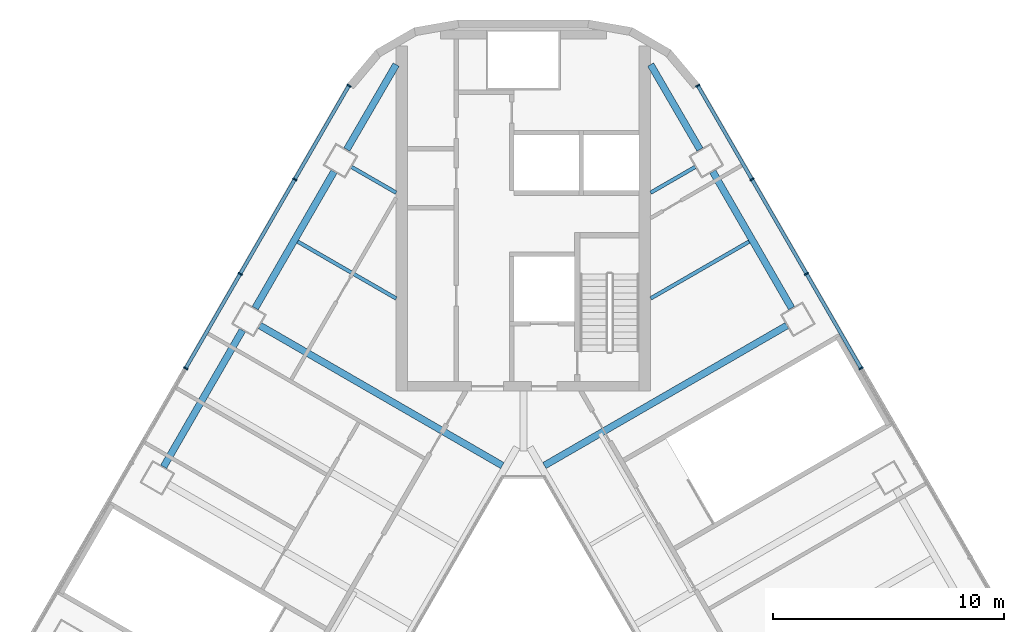
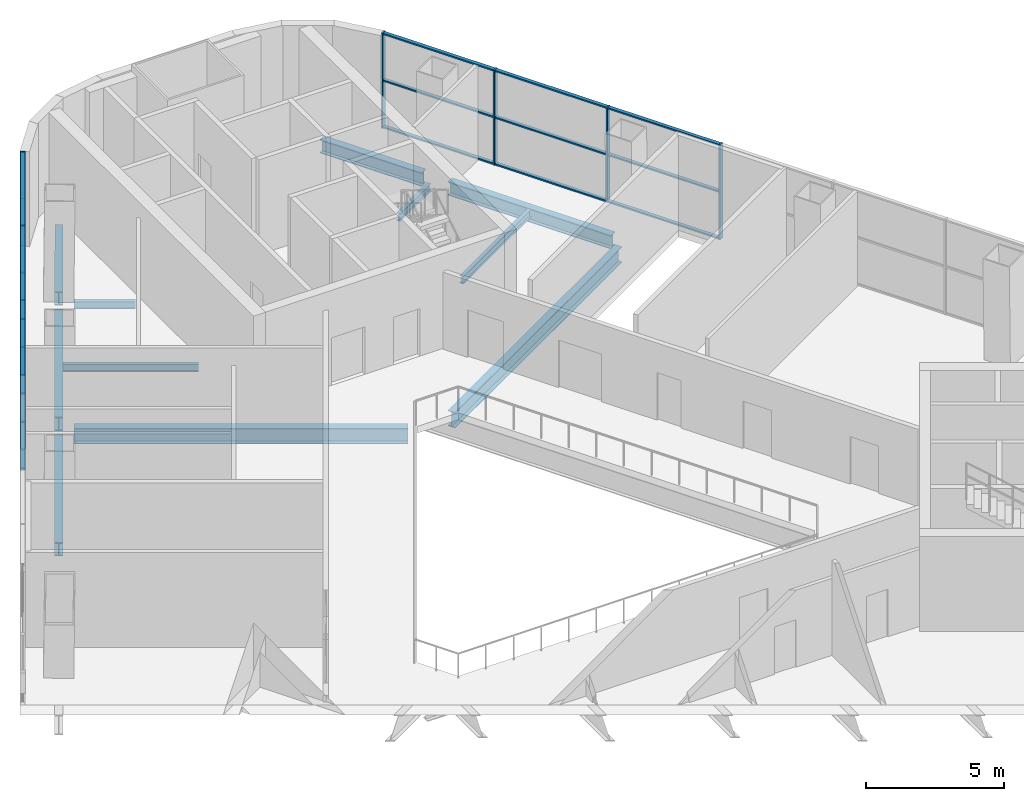
# One storey, part 5 of 12: 26 members, 11 beams, 2 elements without a shape of their own.
"""IFC4 building model written with IfcOpenShell, lengths in metres."""

from ifc_helpers import new_model, si_unit, direction, frame, origin, origin_2d, place, context, subcontext, project, spatial, rectangle, i_section, extrude, material, layer, layer_set, material_profile, profile_set, type_object, element, aggregate, save


model = new_model("IFC4")

# Units and contexts
model_context = context("Model", 3, precision=1e-05, world=origin(), true_north=direction((0.0, 1.0)))
body_context = subcontext(model_context, "Body", "Model", "MODEL_VIEW")
ifc_project = project(units=[si_unit("LENGTHUNIT", "METRE"), si_unit("AREAUNIT", "SQUARE_METRE"), si_unit("VOLUMEUNIT", "CUBIC_METRE"), si_unit("PLANEANGLEUNIT", "RADIAN"), si_unit("MASSUNIT", "GRAM", prefix="KILO")], contexts=[model_context])

# Site, building, storey
site_placement = place(None, origin())
site = spatial("IfcSite", under=ifc_project, at=site_placement, CompositionType="ELEMENT")
building_placement = place(site_placement, origin())
building = spatial("IfcBuilding", under=site, at=building_placement, Name="Apuvela Tower Hotel", CompositionType="ELEMENT")
storey_placement = place(building_placement, frame((0.0, 0.0, 33.0)))
storey = spatial("IfcBuildingStorey", under=building, at=storey_placement, Name="L05", CompositionType="ELEMENT", Elevation=33.0)

# Curtain wall, members
ifc_material_1 = material(Name="Aluminium 6063-T6, dark bronze anodised", Category="aluminium")
ifc_layer = layer(ifc_material_1, 0.199951171875)
ifc_layer_set = layer_set([ifc_layer], Name="ENV-CW-P")
curtain_wall_type = type_object("IfcCurtainWallType", Name="ENV-CW-P", PredefinedType="NOTDEFINED", material=ifc_layer_set)
curtain_wall_1_placement = place(storey_placement, origin())
curtain_wall_1 = element("IfcCurtainWall", 1, at=curtain_wall_1_placement, inside=storey, type_object=curtain_wall_type, Name="Curtain wall CW-P NE L05", PredefinedType="NOTDEFINED")
ifc_material_profile_1 = material_profile(ifc_material_1, rectangle(XDim=0.199951171875, YDim=0.06494140625, at=origin_2d()), Name="AL 65x200")
ifc_profile_set_1 = profile_set([ifc_material_profile_1], Name="Aluminium 6063-T6, dark bronze anodised")
member_type_1 = type_object("IfcMemberType", Name="ENV-MULLION-65x200", PredefinedType="MULLION", material=ifc_profile_set_1)
member_1_placement = place(storey_placement, frame((14.595947265625, 13.871337890625, 0.0), z_axis=(0.0, 0.0, 1.0), x_axis=(-0.866025548062, -0.499999750104, 0.0)))
member_1 = element("IfcMember", 2, at=member_1_placement, type_object=member_type_1, Name="CW-P mullion 6", PredefinedType="MULLION", context=body_context, shape_type="SweptSolid", body=[
    extrude(rectangle(XDim=0.199951171875, YDim=0.06494140625, at=origin_2d()), origin(), (0.0, 0.0, 1.0), 4.199951171875),
])
member_2_placement = place(storey_placement, frame((12.23828125, 17.95458984375, 0.0), z_axis=(0.0, 0.0, 1.0), x_axis=(-0.866025548062, -0.499999750104, 0.0)))
member_2 = element("IfcMember", 3, at=member_2_placement, type_object=member_type_1, Name="CW-P mullion 7", PredefinedType="MULLION", context=body_context, shape_type="SweptSolid", body=[
    extrude(rectangle(XDim=0.199951171875, YDim=0.06494140625, at=origin_2d()), origin(), (0.0, 0.0, 1.0), 4.199951171875),
])
member_3_placement = place(storey_placement, frame((9.880859375, 22.0380859375, 0.0), z_axis=(0.0, 0.0, 1.0), x_axis=(-0.866025548062, -0.499999750104, 0.0)))
member_3 = element("IfcMember", 4, at=member_3_placement, type_object=member_type_1, Name="CW-P mullion 8", PredefinedType="MULLION", context=body_context, shape_type="SweptSolid", body=[
    extrude(rectangle(XDim=0.199951171875, YDim=0.06494140625, at=origin_2d()), origin(), (0.0, 0.0, 1.0), 4.199951171875),
])
member_4_placement = place(storey_placement, frame((7.53955078125, 26.09326171875, 0.0), z_axis=(0.0, 0.0, 1.0), x_axis=(-0.866025548062, -0.499999750104, 0.0)))
member_4 = element("IfcMember", 5, at=member_4_placement, type_object=member_type_1, Name="CW-P mullion 9", PredefinedType="MULLION", context=body_context, shape_type="SweptSolid", body=[
    extrude(rectangle(XDim=0.199951171875, YDim=0.06494140625, at=origin_2d()), origin(), (0.0, 0.0, 1.0), 4.199951171875),
])

curtain_wall_2_placement = place(storey_placement, origin())
curtain_wall_2 = element("IfcCurtainWall", 6, at=curtain_wall_2_placement, inside=storey, type_object=curtain_wall_type, Name="Curtain wall CW-P NW L05", PredefinedType="NOTDEFINED")
member_5_placement = place(storey_placement, frame((-7.53955078125, 26.09326171875, 0.0), z_axis=(0.0, 0.0, 1.0), x_axis=(0.866025548062, -0.499999750104, 0.0)))
member_5 = element("IfcMember", 7, at=member_5_placement, type_object=member_type_1, Name="CW-P mullion 1", PredefinedType="MULLION", context=body_context, shape_type="SweptSolid", body=[
    extrude(rectangle(XDim=0.199951171875, YDim=0.06494140625, at=origin_2d()), origin(), (0.0, 0.0, 1.0), 4.199951171875),
])
member_6_placement = place(storey_placement, frame((-9.880859375, 22.0380859375, 0.0), z_axis=(0.0, 0.0, 1.0), x_axis=(0.866025548062, -0.499999750104, 0.0)))
member_6 = element("IfcMember", 8, at=member_6_placement, type_object=member_type_1, Name="CW-P mullion 2", PredefinedType="MULLION", context=body_context, shape_type="SweptSolid", body=[
    extrude(rectangle(XDim=0.199951171875, YDim=0.06494140625, at=origin_2d()), origin(), (0.0, 0.0, 1.0), 4.199951171875),
])
member_7_placement = place(storey_placement, frame((-12.23828125, 17.95458984375, 0.0), z_axis=(0.0, 0.0, 1.0), x_axis=(0.866025548062, -0.499999750104, 0.0)))
member_7 = element("IfcMember", 9, at=member_7_placement, type_object=member_type_1, Name="CW-P mullion 3", PredefinedType="MULLION", context=body_context, shape_type="SweptSolid", body=[
    extrude(rectangle(XDim=0.199951171875, YDim=0.06494140625, at=origin_2d()), origin(), (0.0, 0.0, 1.0), 4.199951171875),
])
member_8_placement = place(storey_placement, frame((-14.595947265625, 13.871337890625, 0.0), z_axis=(0.0, 0.0, 1.0), x_axis=(0.866025548062, -0.499999750104, 0.0)))
member_8 = element("IfcMember", 10, at=member_8_placement, type_object=member_type_1, Name="CW-P mullion 4", PredefinedType="MULLION", context=body_context, shape_type="SweptSolid", body=[
    extrude(rectangle(XDim=0.199951171875, YDim=0.06494140625, at=origin_2d()), origin(), (0.0, 0.0, 1.0), 4.199951171875),
])

# Member
ifc_material_profile_2 = material_profile(ifc_material_1, rectangle(XDim=0.14990234375, YDim=0.06494140625, at=origin_2d()), Name="AL 65x150 transom")
ifc_profile_set_2 = profile_set([ifc_material_profile_2], Name="Aluminium 6063-T6, dark bronze anodised")
member_type_2 = type_object("IfcMemberType", Name="ENV-TRANSOM-65x150", PredefinedType="USERDEFINED", material=ifc_profile_set_2)
member_9_placement = place(storey_placement, frame((14.57958984375, 13.8994140625, 0.032470703125), z_axis=(-0.499984536904, 0.866034331223, 0.0), x_axis=(-0.866034331223, -0.499984536904, 0.0)))
member_9 = element("IfcMember", 11, at=member_9_placement, type_object=member_type_2, Name="CW-P transom 6.1", ObjectType="TRANSOM", PredefinedType="USERDEFINED", context=body_context, shape_type="SweptSolid", body=[
    extrude(rectangle(XDim=0.14990234375, YDim=0.06494140625, at=origin_2d()), origin(), (0.0, 0.0, 1.0), 4.650146484375),
])

member_10_placement = place(storey_placement, frame((14.57958984375, 13.8994140625, 2.10009765625), z_axis=(-0.499984536904, 0.866034331223, 0.0), x_axis=(-0.866034331223, -0.499984536904, 0.0)))
member_10 = element("IfcMember", 12, at=member_10_placement, type_object=member_type_2, Name="CW-P transom 6.2", ObjectType="TRANSOM", PredefinedType="USERDEFINED", context=body_context, shape_type="SweptSolid", body=[
    extrude(rectangle(XDim=0.14990234375, YDim=0.06494140625, at=origin_2d()), origin(), (0.0, 0.0, 1.0), 4.650146484375),
])

member_11_placement = place(storey_placement, frame((14.57958984375, 13.8994140625, 4.16748046875), z_axis=(-0.499984536904, 0.866034331223, 0.0), x_axis=(-0.866034331223, -0.499984536904, 0.0)))
member_11 = element("IfcMember", 13, at=member_11_placement, type_object=member_type_2, Name="CW-P transom 6.3", ObjectType="TRANSOM", PredefinedType="USERDEFINED", context=body_context, shape_type="SweptSolid", body=[
    extrude(rectangle(XDim=0.14990234375, YDim=0.06494140625, at=origin_2d()), origin(), (0.0, 0.0, 1.0), 4.650146484375),
])

member_12_placement = place(storey_placement, frame((12.22216796875, 17.98291015625, 0.032470703125), z_axis=(-0.500007271693, 0.86602120543, 0.0), x_axis=(-0.86602120543, -0.500007271693, 0.0)))
member_12 = element("IfcMember", 14, at=member_12_placement, type_object=member_type_2, Name="CW-P transom 7.1", ObjectType="TRANSOM", PredefinedType="USERDEFINED", context=body_context, shape_type="SweptSolid", body=[
    extrude(rectangle(XDim=0.14990234375, YDim=0.06494140625, at=origin_2d()), origin(), (0.0, 0.0, 1.0), 4.64990234375),
])

member_13_placement = place(storey_placement, frame((12.22216796875, 17.98291015625, 2.10009765625), z_axis=(-0.500007271693, 0.86602120543, 0.0), x_axis=(-0.86602120543, -0.500007271693, 0.0)))
member_13 = element("IfcMember", 15, at=member_13_placement, type_object=member_type_2, Name="CW-P transom 7.2", ObjectType="TRANSOM", PredefinedType="USERDEFINED", context=body_context, shape_type="SweptSolid", body=[
    extrude(rectangle(XDim=0.14990234375, YDim=0.06494140625, at=origin_2d()), origin(), (0.0, 0.0, 1.0), 4.64990234375),
])

member_14_placement = place(storey_placement, frame((12.22216796875, 17.98291015625, 4.16748046875), z_axis=(-0.500007271693, 0.86602120543, 0.0), x_axis=(-0.86602120543, -0.500007271693, 0.0)))
member_14 = element("IfcMember", 16, at=member_14_placement, type_object=member_type_2, Name="CW-P transom 7.3", ObjectType="TRANSOM", PredefinedType="USERDEFINED", context=body_context, shape_type="SweptSolid", body=[
    extrude(rectangle(XDim=0.14990234375, YDim=0.06494140625, at=origin_2d()), origin(), (0.0, 0.0, 1.0), 4.64990234375),
])

member_15_placement = place(storey_placement, frame((9.86474609375, 22.066162109375, 0.032470703125), z_axis=(-0.500022997376, 0.866012125836, 0.0), x_axis=(-0.866012125836, -0.500022997376, 0.0)))
member_15 = element("IfcMember", 17, at=member_15_placement, type_object=member_type_2, Name="CW-P transom 8.1", ObjectType="TRANSOM", PredefinedType="USERDEFINED", context=body_context, shape_type="SweptSolid", body=[
    extrude(rectangle(XDim=0.14990234375, YDim=0.06494140625, at=origin_2d()), origin(), (0.0, 0.0, 1.0), 4.617431640625),
])

member_16_placement = place(storey_placement, frame((9.86474609375, 22.066162109375, 2.10009765625), z_axis=(-0.500022997376, 0.866012125836, 0.0), x_axis=(-0.866012125836, -0.500022997376, 0.0)))
member_16 = element("IfcMember", 18, at=member_16_placement, type_object=member_type_2, Name="CW-P transom 8.2", ObjectType="TRANSOM", PredefinedType="USERDEFINED", context=body_context, shape_type="SweptSolid", body=[
    extrude(rectangle(XDim=0.14990234375, YDim=0.06494140625, at=origin_2d()), origin(), (0.0, 0.0, 1.0), 4.617431640625),
])

member_17_placement = place(storey_placement, frame((9.86474609375, 22.066162109375, 4.16748046875), z_axis=(-0.500022997376, 0.866012125836, 0.0), x_axis=(-0.866012125836, -0.500022997376, 0.0)))
member_17 = element("IfcMember", 19, at=member_17_placement, type_object=member_type_2, Name="CW-P transom 8.3", ObjectType="TRANSOM", PredefinedType="USERDEFINED", context=body_context, shape_type="SweptSolid", body=[
    extrude(rectangle(XDim=0.14990234375, YDim=0.06494140625, at=origin_2d()), origin(), (0.0, 0.0, 1.0), 4.617431640625),
])

aggregate(curtain_wall_1, [member_1, member_2, member_3, member_4, member_9, member_10, member_11, member_12, member_13, member_14, member_15, member_16, member_17])

member_18_placement = place(storey_placement, frame((-7.555908203125, 26.06494140625, 0.032470703125), z_axis=(-0.500022997376, -0.866012125836, 0.0), x_axis=(0.866012125836, -0.500022997376, 0.0)))
member_18 = element("IfcMember", 20, at=member_18_placement, type_object=member_type_2, Name="CW-P transom 1.1", ObjectType="TRANSOM", PredefinedType="USERDEFINED", context=body_context, shape_type="SweptSolid", body=[
    extrude(rectangle(XDim=0.14990234375, YDim=0.06494140625, at=origin_2d()), origin(), (0.0, 0.0, 1.0), 4.617431640625),
])

member_19_placement = place(storey_placement, frame((-7.555908203125, 26.06494140625, 2.10009765625), z_axis=(-0.500022997376, -0.866012125836, 0.0), x_axis=(0.866012125836, -0.500022997376, 0.0)))
member_19 = element("IfcMember", 21, at=member_19_placement, type_object=member_type_2, Name="CW-P transom 1.2", ObjectType="TRANSOM", PredefinedType="USERDEFINED", context=body_context, shape_type="SweptSolid", body=[
    extrude(rectangle(XDim=0.14990234375, YDim=0.06494140625, at=origin_2d()), origin(), (0.0, 0.0, 1.0), 4.617431640625),
])

member_20_placement = place(storey_placement, frame((-7.555908203125, 26.06494140625, 4.16748046875), z_axis=(-0.500022997376, -0.866012125836, 0.0), x_axis=(0.866012125836, -0.500022997376, 0.0)))
member_20 = element("IfcMember", 22, at=member_20_placement, type_object=member_type_2, Name="CW-P transom 1.3", ObjectType="TRANSOM", PredefinedType="USERDEFINED", context=body_context, shape_type="SweptSolid", body=[
    extrude(rectangle(XDim=0.14990234375, YDim=0.06494140625, at=origin_2d()), origin(), (0.0, 0.0, 1.0), 4.617431640625),
])

member_21_placement = place(storey_placement, frame((-9.897216796875, 22.009765625, 0.032470703125), z_axis=(-0.500007271693, -0.86602120543, 0.0), x_axis=(0.86602120543, -0.500007271693, 0.0)))
member_21 = element("IfcMember", 23, at=member_21_placement, type_object=member_type_2, Name="CW-P transom 2.1", ObjectType="TRANSOM", PredefinedType="USERDEFINED", context=body_context, shape_type="SweptSolid", body=[
    extrude(rectangle(XDim=0.14990234375, YDim=0.06494140625, at=origin_2d()), origin(), (0.0, 0.0, 1.0), 4.64990234375),
])

member_22_placement = place(storey_placement, frame((-9.897216796875, 22.009765625, 2.10009765625), z_axis=(-0.500007271693, -0.86602120543, 0.0), x_axis=(0.86602120543, -0.500007271693, 0.0)))
member_22 = element("IfcMember", 24, at=member_22_placement, type_object=member_type_2, Name="CW-P transom 2.2", ObjectType="TRANSOM", PredefinedType="USERDEFINED", context=body_context, shape_type="SweptSolid", body=[
    extrude(rectangle(XDim=0.14990234375, YDim=0.06494140625, at=origin_2d()), origin(), (0.0, 0.0, 1.0), 4.64990234375),
])

member_23_placement = place(storey_placement, frame((-9.897216796875, 22.009765625, 4.16748046875), z_axis=(-0.500007271693, -0.86602120543, 0.0), x_axis=(0.86602120543, -0.500007271693, 0.0)))
member_23 = element("IfcMember", 25, at=member_23_placement, type_object=member_type_2, Name="CW-P transom 2.3", ObjectType="TRANSOM", PredefinedType="USERDEFINED", context=body_context, shape_type="SweptSolid", body=[
    extrude(rectangle(XDim=0.14990234375, YDim=0.06494140625, at=origin_2d()), origin(), (0.0, 0.0, 1.0), 4.64990234375),
])

member_24_placement = place(storey_placement, frame((-12.254638671875, 17.926513671875, 0.032470703125), z_axis=(-0.499984536904, -0.866034331223, 0.0), x_axis=(0.866034331223, -0.499984536904, 0.0)))
member_24 = element("IfcMember", 26, at=member_24_placement, type_object=member_type_2, Name="CW-P transom 3.1", ObjectType="TRANSOM", PredefinedType="USERDEFINED", context=body_context, shape_type="SweptSolid", body=[
    extrude(rectangle(XDim=0.14990234375, YDim=0.06494140625, at=origin_2d()), origin(), (0.0, 0.0, 1.0), 4.650146484375),
])

member_25_placement = place(storey_placement, frame((-12.254638671875, 17.926513671875, 2.10009765625), z_axis=(-0.499984536904, -0.866034331223, 0.0), x_axis=(0.866034331223, -0.499984536904, 0.0)))
member_25 = element("IfcMember", 27, at=member_25_placement, type_object=member_type_2, Name="CW-P transom 3.2", ObjectType="TRANSOM", PredefinedType="USERDEFINED", context=body_context, shape_type="SweptSolid", body=[
    extrude(rectangle(XDim=0.14990234375, YDim=0.06494140625, at=origin_2d()), origin(), (0.0, 0.0, 1.0), 4.650146484375),
])

member_26_placement = place(storey_placement, frame((-12.254638671875, 17.926513671875, 4.16748046875), z_axis=(-0.499984536904, -0.866034331223, 0.0), x_axis=(0.866034331223, -0.499984536904, 0.0)))
member_26 = element("IfcMember", 28, at=member_26_placement, type_object=member_type_2, Name="CW-P transom 3.3", ObjectType="TRANSOM", PredefinedType="USERDEFINED", context=body_context, shape_type="SweptSolid", body=[
    extrude(rectangle(XDim=0.14990234375, YDim=0.06494140625, at=origin_2d()), origin(), (0.0, 0.0, 1.0), 4.650146484375),
])

aggregate(curtain_wall_2, [member_5, member_6, member_7, member_8, member_18, member_19, member_20, member_21, member_22, member_23, member_24, member_25, member_26])

# Beams
ifc_material_2 = material(Name="Steel S355", Category="steel")
ifc_material_profile_3 = material_profile(ifc_material_2, i_section(OverallWidth=0.300048828125, OverallDepth=0.68994140625, WebThickness=0.014404296875, FlangeThickness=0.027099609375, at=origin_2d()), Name="HE 700 A")
ifc_profile_set_3 = profile_set([ifc_material_profile_3], Name="Steel S355")
beam_type_1 = type_object("IfcBeamType", Name="STR-B floor beam HE 700 A", PredefinedType="BEAM", material=ifc_profile_set_3)
for number, where, z_axis, x_axis, name in (
    (29, (11.39208984375, 15.720703125, -0.64501953125), (-0.866031417006, -0.499989584651, 0.0), (0.499989584651, -0.866031417006, 0.0), "Floor beam B6 NE7"),
    (30, (-11.39208984375, 15.720703125, -0.64501953125), (0.866031417006, -0.499989584651, 0.0), (0.499989584651, 0.866031417006, 0.0), "Floor beam B6 NW3"),
):
    element("IfcBeam", number, at=place(storey_placement, frame(where, z_axis=z_axis, x_axis=x_axis)), inside=storey, type_object=beam_type_1, Name=name, PredefinedType="BEAM", context=body_context, shape_type="SweptSolid", body=[
        extrude(i_section(OverallWidth=0.300048828125, OverallDepth=0.68994140625, WebThickness=0.014404296875, FlangeThickness=0.027099609375, at=origin_2d()), origin(), (0.0, 0.0, 1.0), 12.104248046875),
    ])
ifc_material_profile_4 = material_profile(ifc_material_2, i_section(OverallWidth=0.159912109375, OverallDepth=0.330078125, WebThickness=0.007568359375, FlangeThickness=0.011474609375, at=origin_2d()), Name="IPE 330")
ifc_profile_set_4 = profile_set([ifc_material_profile_4], Name="Steel S355")
beam_type_2 = type_object("IfcBeamType", Name="STR-B floor beam IPE 330", PredefinedType="BEAM", material=ifc_profile_set_4)
beam_1_placement = place(storey_placement, frame((9.7587890625, 19.349609375, -0.465087890625), z_axis=(-0.866010314562, -0.500026134388, 0.0), x_axis=(0.500026134388, -0.866010314562, 0.0)))
element("IfcBeam", 31, at=beam_1_placement, inside=storey, type_object=beam_type_2, Name="Floor beam B1 NE8", PredefinedType="BEAM", context=body_context, shape_type="SweptSolid", body=[
    extrude(i_section(OverallWidth=0.159912109375, OverallDepth=0.330078125, WebThickness=0.007568359375, FlangeThickness=0.011474609375, at=origin_2d()), origin(), (0.0, 0.0, 1.0), 4.917724609375),
])
for number, where, z_axis, x_axis, name in (
    (32, (7.4326171875, 22.578369140625, -0.465087890625), (-0.865992466585, -0.500057044563, 0.0), (0.500057044563, -0.865992466585, 0.0), "Floor beam B1 NE9"),
    (33, (-7.4326171875, 22.578369140625, -0.465087890625), (0.865992466585, -0.500057044563, 0.0), (0.500057044563, 0.865992466585, 0.0), "Floor beam B1 NW1"),
):
    element("IfcBeam", number, at=place(storey_placement, frame(where, z_axis=z_axis, x_axis=x_axis)), inside=storey, type_object=beam_type_2, Name=name, PredefinedType="BEAM", context=body_context, shape_type="SweptSolid", body=[
        extrude(i_section(OverallWidth=0.159912109375, OverallDepth=0.330078125, WebThickness=0.007568359375, FlangeThickness=0.011474609375, at=origin_2d()), origin(), (0.0, 0.0, 1.0), 2.231689453125),
    ])
beam_2_placement = place(storey_placement, frame((-9.7587890625, 19.349609375, -0.465087890625), z_axis=(0.866010314562, -0.500026134388, 0.0), x_axis=(0.500026134388, 0.866010314562, 0.0)))
element("IfcBeam", 34, at=beam_2_placement, inside=storey, type_object=beam_type_2, Name="Floor beam B1 NW2", PredefinedType="BEAM", context=body_context, shape_type="SweptSolid", body=[
    extrude(i_section(OverallWidth=0.159912109375, OverallDepth=0.330078125, WebThickness=0.007568359375, FlangeThickness=0.011474609375, at=origin_2d()), origin(), (0.0, 0.0, 1.0), 4.917724609375),
])
ifc_material_profile_5 = material_profile(ifc_material_2, i_section(OverallWidth=0.300048828125, OverallDepth=0.60009765625, WebThickness=0.015380859375, FlangeThickness=0.030029296875, at=origin_2d()), Name="HE 600 B")
ifc_profile_set_5 = profile_set([ifc_material_profile_5], Name="Steel S355")
beam_type_3 = type_object("IfcBeamType", Name="STR-SB spandrel beam HE 600 B", PredefinedType="SPANDREL", material=ifc_profile_set_5)
for number, where, z_axis, x_axis, name in (
    (35, (11.59326171875, 16.471923828125, -0.60009765625), (-0.499990038096, 0.866031155216, 0.0), (-0.866031155216, -0.499990038096, 0.0), "Spandrel beam SB1 NE4"),
    (36, (-8.18408203125, 22.376953125, -0.60009765625), (-0.499990038096, -0.866031155216, 0.0), (0.866031155216, -0.499990038096, 0.0), "Spandrel beam SB1 NW1"),
):
    element("IfcBeam", number, at=place(storey_placement, frame(where, z_axis=z_axis, x_axis=x_axis)), inside=storey, type_object=beam_type_3, Name=name, PredefinedType="SPANDREL", context=body_context, shape_type="SweptSolid", body=[
        extrude(i_section(OverallWidth=0.300048828125, OverallDepth=0.60009765625, WebThickness=0.015380859375, FlangeThickness=0.030029296875, at=origin_2d()), origin(), (0.0, 0.0, 1.0), 6.818603515625),
    ])
beam_3_placement = place(storey_placement, frame((-12.143310546875, 15.519287109375, -0.60009765625), z_axis=(-0.50000554259, -0.866022203745, 0.0), x_axis=(0.866022203745, -0.50000554259, 0.0)))
element("IfcBeam", 37, at=beam_3_placement, inside=storey, type_object=beam_type_3, Name="Spandrel beam SB1 NW2", PredefinedType="SPANDREL", context=body_context, shape_type="SweptSolid", body=[
    extrude(i_section(OverallWidth=0.300048828125, OverallDepth=0.60009765625, WebThickness=0.015380859375, FlangeThickness=0.030029296875, at=origin_2d()), origin(), (0.0, 0.0, 1.0), 6.818359375),
])
for number, where, z_axis, x_axis, name in (
    (38, (7.6328125, 23.328857421875, -0.60009765625), (-0.502343586551, 0.864668098782, 0.0), (-0.864668098782, -0.502343586551, 0.0), "Spandrel beam SB1 NE5-N"),
    (39, (-7.6328125, 23.328857421875, -0.60009765625), (0.502343586551, 0.864668098782, 0.0), (-0.864668098782, 0.502343586551, 0.0), "Spandrel beam SB1 NW1-N"),
):
    element("IfcBeam", number, at=place(storey_placement, frame(where, z_axis=z_axis, x_axis=x_axis)), inside=storey, type_object=beam_type_3, Name=name, PredefinedType="SPANDREL", context=body_context, shape_type="SweptSolid", body=[
        extrude(i_section(OverallWidth=0.300048828125, OverallDepth=0.60009765625, WebThickness=0.015380859375, FlangeThickness=0.030029296875, at=origin_2d()), origin(), (0.0, 0.0, 1.0), 4.24560546875),
    ])

save(model, "model.ifc")
